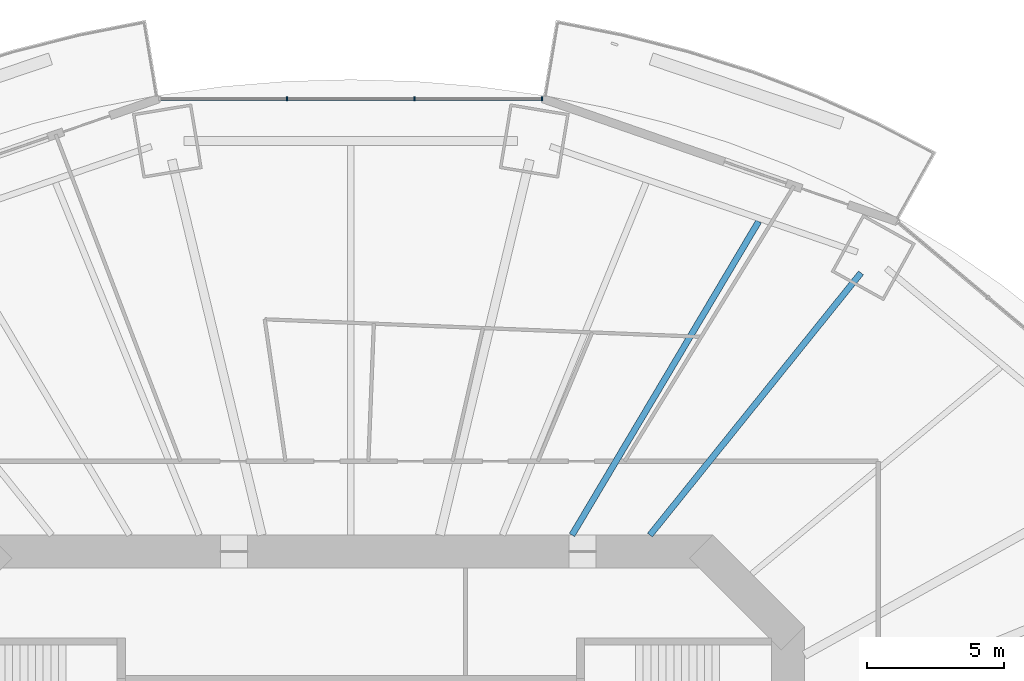
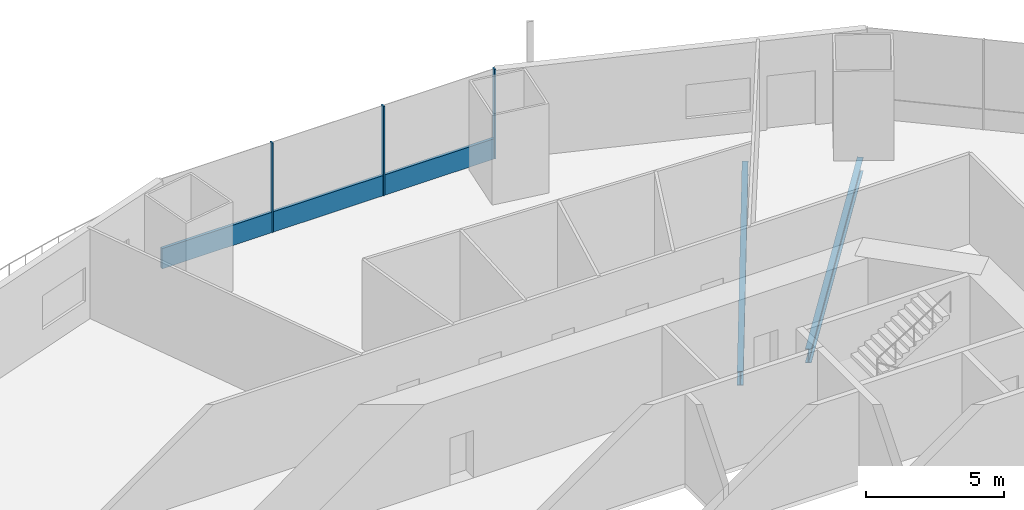
# One storey, part 9 of 23: 4 members, 2 beams, 1 element without a shape of its own.
"""IFC4 building model written with IfcOpenShell, lengths in metres."""

from ifc_helpers import new_model, si_unit, direction, frame, origin, origin_2d, place, context, subcontext, project, spatial, rectangle, i_section, extrude, material, material_profile, profile_set, type_object, element, aggregate, save


model = new_model("IFC4")

# Units and contexts
model_context = context("Model", 3, precision=1e-05, world=origin(), true_north=direction((0.0, 1.0)))
body_context = subcontext(model_context, "Body", "Model", "MODEL_VIEW")
ifc_project = project(units=[si_unit("LENGTHUNIT", "METRE"), si_unit("AREAUNIT", "SQUARE_METRE"), si_unit("VOLUMEUNIT", "CUBIC_METRE"), si_unit("PLANEANGLEUNIT", "RADIAN"), si_unit("MASSUNIT", "GRAM", prefix="KILO")], contexts=[model_context])

# Site, building, storey
site_placement = place(None, origin())
site = spatial("IfcSite", under=ifc_project, at=site_placement, CompositionType="ELEMENT")
building_placement = place(site_placement, origin())
building = spatial("IfcBuilding", under=site, at=building_placement, Name="Marenthal Gate Tower", CompositionType="ELEMENT")
storey_placement = place(building_placement, frame((0.0, 0.0, 66.199951171875)))
storey = spatial("IfcBuildingStorey", under=building, at=storey_placement, Name="L12", CompositionType="ELEMENT", Elevation=66.199951171875)

# Curtain wall, members
ifc_material_1 = material(Name="Aluminium and glass", Category="aluminium")
curtain_wall_type = type_object("IfcCurtainWallType", Name="Curtain wall typical low", PredefinedType="NOTDEFINED", material=ifc_material_1)
curtain_wall_placement = place(storey_placement, origin())
curtain_wall = element("IfcCurtainWall", 1, at=curtain_wall_placement, inside=storey, type_object=curtain_wall_type, Name="Curtain wall L12 bay 4", PredefinedType="NOTDEFINED")
ifc_material_2 = material(Name="Aluminium", Category="aluminium")
ifc_material_profile_1 = material_profile(ifc_material_2, rectangle(XDim=0.159912109375, YDim=0.06005859375, at=origin_2d()), Name="60x160 aluminium mullion")
ifc_profile_set_1 = profile_set([ifc_material_profile_1], Name="Aluminium")
member_type_1 = type_object("IfcMemberType", Name="Mullion 60x160 typical low", PredefinedType="MULLION", material=ifc_profile_set_1)
member_1_placement = place(storey_placement, frame((6.9921875, 29.569580078125, 0.0), z_axis=(0.0, 0.0, 1.0), x_axis=(0.0, -1.0, 0.0)))
member_1 = element("IfcMember", 2, at=member_1_placement, type_object=member_type_1, Name="Mullion L12 bay 4.1", PredefinedType="MULLION", context=body_context, shape_type="SweptSolid", body=[
    extrude(rectangle(XDim=0.159912109375, YDim=0.06005859375, at=origin_2d()), origin(), (0.0, 0.0, 1.0), 3.969970703125),
])
member_2_placement = place(storey_placement, frame((2.330810546875, 29.569580078125, 0.0), z_axis=(0.0, 0.0, 1.0), x_axis=(0.0, -1.0, 0.0)))
member_2 = element("IfcMember", 3, at=member_2_placement, type_object=member_type_1, Name="Mullion L12 bay 4.2", PredefinedType="MULLION", context=body_context, shape_type="SweptSolid", body=[
    extrude(rectangle(XDim=0.159912109375, YDim=0.06005859375, at=origin_2d()), origin(), (0.0, 0.0, 1.0), 3.969970703125),
])
member_3_placement = place(storey_placement, frame((-2.330810546875, 29.569580078125, 0.0), z_axis=(0.0, 0.0, 1.0), x_axis=(0.0, -1.0, 0.0)))
member_3 = element("IfcMember", 4, at=member_3_placement, type_object=member_type_1, Name="Mullion L12 bay 4.3", PredefinedType="MULLION", context=body_context, shape_type="SweptSolid", body=[
    extrude(rectangle(XDim=0.159912109375, YDim=0.06005859375, at=origin_2d()), origin(), (0.0, 0.0, 1.0), 3.969970703125),
])
ifc_material_3 = material(Name="Aluminium", Category="aluminium")
ifc_material_profile_2 = material_profile(ifc_material_3, rectangle(XDim=0.1201171875, YDim=0.89990234375, at=origin_2d()), Name="120x900 aluminium transom")
ifc_profile_set_2 = profile_set([ifc_material_profile_2], Name="Aluminium")
member_type_2 = type_object("IfcMemberType", Name="Transom 120x900 typical low", PredefinedType="USERDEFINED", material=ifc_profile_set_2)
member_4_placement = place(storey_placement, frame((6.96240234375, 29.569580078125, 0.449951171875), z_axis=(-1.0, 0.0, 0.0), x_axis=(0.0, -1.0, 0.0)))
member_4 = element("IfcMember", 5, at=member_4_placement, type_object=member_type_2, Name="Transom L12 bay 4", ObjectType="TRANSOM", PredefinedType="USERDEFINED", context=body_context, shape_type="SweptSolid", body=[
    extrude(rectangle(XDim=0.1201171875, YDim=0.89990234375, at=origin_2d()), origin(), (0.0, 0.0, 1.0), 13.9248046875),
])
aggregate(curtain_wall, [member_1, member_2, member_3, member_4])

# Beams
ifc_material_4 = material(Name="Steel S355", Category="steel")
ifc_material_profile_3 = material_profile(ifc_material_4, i_section(OverallWidth=0.22900390625, OverallDepth=0.612060546875, WebThickness=0.011962890625, FlangeThickness=0.01953125, FilletRadius=0.0126953125, at=origin_2d()), Name="W610X125")
ifc_profile_set_3 = profile_set([ifc_material_profile_3], Name="Steel S355")
beam_type = type_object("IfcBeamType", Name="W610X125 beam", PredefinedType="BEAM", material=ifc_profile_set_3)
beam_1_placement = place(storey_placement, frame((18.669921875, 23.195068359375, -0.48583984375), z_axis=(-0.62702730147, -0.778997280618, 0.0), x_axis=(0.778997280618, -0.62702730147, 0.0)))
element("IfcBeam", 6, at=beam_1_placement, inside=storey, type_object=beam_type, Name="BM-L12-03", PredefinedType="BEAM", context=body_context, shape_type="SweptSolid", body=[
    extrude(i_section(OverallWidth=0.22900390625, OverallDepth=0.612060546875, WebThickness=0.011962890625, FlangeThickness=0.01953125, FilletRadius=0.0126953125, at=origin_2d()), origin(), (0.0, 0.0, 1.0), 12.317138671875),
])
beam_2_placement = place(storey_placement, frame((14.9248046875, 25.07568359375, -0.48583984375), z_axis=(-0.51146264721, -0.859305510578, 0.0), x_axis=(0.859305510578, -0.51146264721, 0.0)))
element("IfcBeam", 7, at=beam_2_placement, inside=storey, type_object=beam_type, Name="BM-L12-20", PredefinedType="BEAM", context=body_context, shape_type="SweptSolid", body=[
    extrude(i_section(OverallWidth=0.22900390625, OverallDepth=0.612060546875, WebThickness=0.011962890625, FlangeThickness=0.01953125, FilletRadius=0.0126953125, at=origin_2d()), origin(), (0.0, 0.0, 1.0), 13.3544921875),
])

save(model, "model.ifc")
